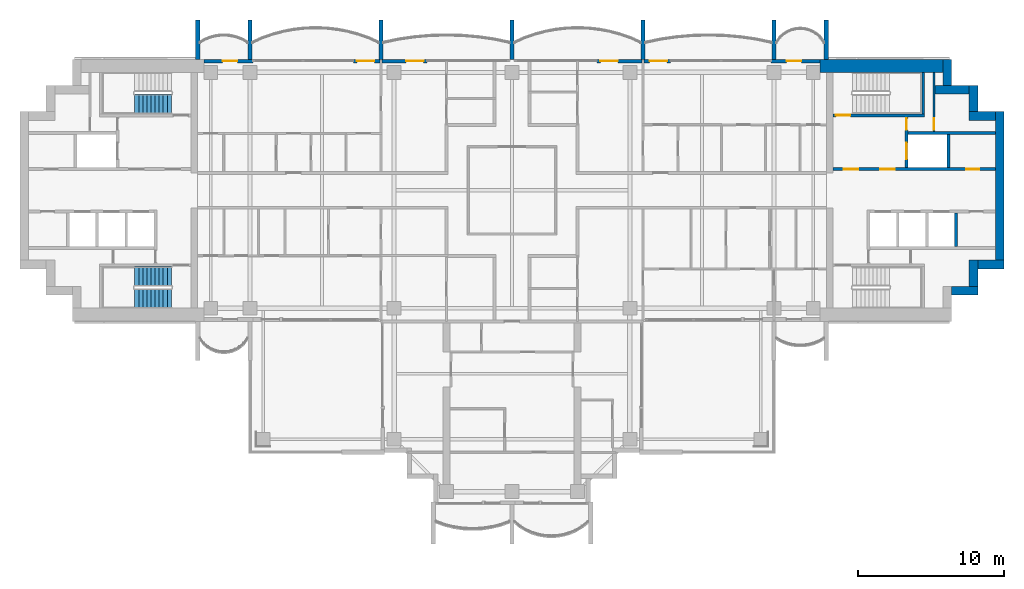
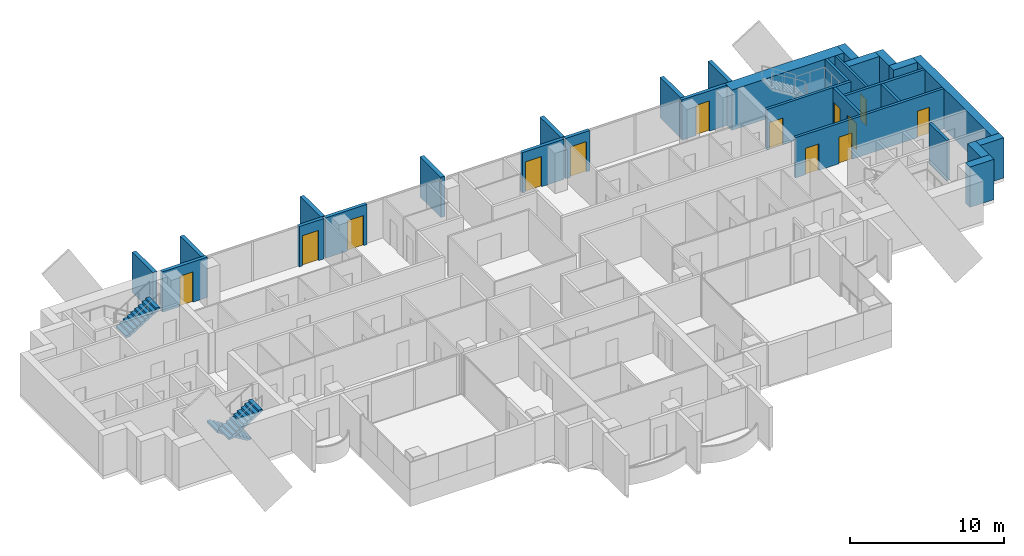
# One storey, part 13 of 18: 30 walls, 13 doors, 3 stair flights, 13 openings, 2 elements without a shape of their own.
"""IFC4 building model written with IfcOpenShell, lengths in metres."""

from ifc_helpers import new_model, si_unit, direction, frame, frame_2d, origin, place, context, subcontext, project, spatial, polyline, rectangle, outline, extrude, material, layer, layer_set, type_object, element, fill, aggregate, save


model = new_model("IFC4")

# Units and contexts
model_context = context("Model", 3, precision=1e-05, world=origin(), true_north=direction((0.0, 1.0)))
body_context = subcontext(model_context, "Body", "Model", "MODEL_VIEW")
ifc_project = project(units=[si_unit("LENGTHUNIT", "METRE"), si_unit("AREAUNIT", "SQUARE_METRE"), si_unit("VOLUMEUNIT", "CUBIC_METRE"), si_unit("PLANEANGLEUNIT", "RADIAN"), si_unit("MASSUNIT", "GRAM", prefix="KILO")], contexts=[model_context])

# Site, building, storey
site_placement = place(None, origin())
site = spatial("IfcSite", under=ifc_project, at=site_placement, CompositionType="ELEMENT")
building_placement = place(site_placement, origin())
building = spatial("IfcBuilding", under=site, at=building_placement, Name="Perihelion Cross Residences", CompositionType="ELEMENT")
storey_placement = place(building_placement, frame((0.0, 0.0, 219.10009765625)))
storey = spatial("IfcBuildingStorey", under=building, at=storey_placement, Name="L55", CompositionType="ELEMENT", Elevation=219.10009765625)

# Wall, opening, door
ifc_material_1 = material(Name="Concrete C30/37, bronze-clad", Category="concrete")
ifc_layer_1 = layer(ifc_material_1, 0.25)
ifc_layer_set_1 = layer_set([ifc_layer_1], Name="Bronze-clad pier wall 250")
wall_type_1 = type_object("IfcWallType", Name="Bronze-clad pier wall 250", PredefinedType="SOLIDWALL", material=ifc_layer_set_1)
wall_1_placement = place(storey_placement, frame((21.175048828125, 8.875, 0.0), z_axis=(0.0, 0.0, 1.0), x_axis=(-1.0, 0.0, 0.0)))
wall_1 = element("IfcWall", 1, at=wall_1_placement, inside=storey, type_object=wall_type_1, Name="Wall FW1 L55 east side north bay 1 pier", PredefinedType="SOLIDWALL", context=body_context, shape_type="SweptSolid", body=[
    extrude(rectangle(XDim=3.375, YDim=0.25, at=frame_2d((1.6875, 0.0))), origin(), (0.0, 0.0, 1.0), 3.199951171875),
])
opening_1_placement = place(wall_1_placement, frame((1.300048828125, 0.0, 0.0)))
opening_1 = element("IfcOpeningElement", 2, at=opening_1_placement, cuts=wall_1, Name="Opening L55.E01", PredefinedType="OPENING", context=body_context, shape_type="SweptSolid", body=[
    extrude(rectangle(XDim=1.0, YDim=2.39990234375, at=frame_2d((0.5, 1.199951171875))), frame((0.0, 0.135009765625, 0.0), z_axis=(0.0, -1.0, 0.0), x_axis=(1.0, 0.0, 0.0)), (0.0, 0.0, 1.0), 0.27001953125),
])
ifc_material_2 = material(Name="Bronze anodised aluminium, glazed", Category="aluminium")
door_type_1 = type_object("IfcDoorType", Name="Balcony door 1000 x 2400", OperationType="NOTDEFINED", PredefinedType="DOOR", material=ifc_material_2)
door_1_placement = place(opening_1_placement, origin())
door_1 = element("IfcDoor", 3, at=door_1_placement, inside=storey, type_object=door_type_1, Name="Door L55.E01 east side north bay 1", OperationType="SINGLE_SWING_LEFT", OverallHeight=2.39990234375, OverallWidth=1.0, PredefinedType="DOOR", context=body_context, shape_type="SweptSolid", body=[
    extrude(rectangle(XDim=1.0, YDim=2.39990234375, at=frame_2d((0.5, 1.199951171875))), frame((0.0, 0.02490234375, 0.0), z_axis=(0.0, -1.0, 0.0), x_axis=(1.0, 0.0, 0.0)), (0.0, 0.0, 1.0), 0.050048828125),
])
fill(opening_1, door_1)

wall_2_placement = place(storey_placement, frame((10.89990234375, 8.875, 0.0), z_axis=(0.0, 0.0, 1.0), x_axis=(-1.0, 0.0, 0.0)))
wall_2 = element("IfcWall", 4, at=wall_2_placement, inside=storey, type_object=wall_type_1, Name="Wall FW1 L55 east side north bay 2 pier", PredefinedType="SOLIDWALL", context=body_context, shape_type="SweptSolid", body=[
    extrude(rectangle(XDim=1.83984375, YDim=0.25, at=frame_2d((0.919921875, 0.0))), origin(), (0.0, 0.0, 1.0), 3.199951171875),
])
opening_2_placement = place(wall_2_placement, frame((0.25, 0.0, 0.0)))
opening_2 = element("IfcOpeningElement", 5, at=opening_2_placement, cuts=wall_2, Name="Opening L55.E02", PredefinedType="OPENING", context=body_context, shape_type="SweptSolid", body=[
    extrude(rectangle(XDim=1.199951171875, YDim=2.39990234375, at=frame_2d((0.60009765625, 1.199951171875))), frame((0.0, 0.135009765625, 0.0), z_axis=(0.0, -1.0, 0.0), x_axis=(1.0, 0.0, 0.0)), (0.0, 0.0, 1.0), 0.27001953125),
])
ifc_material_3 = material(Name="Bronze anodised aluminium, glazed", Category="aluminium")
door_type_2 = type_object("IfcDoorType", Name="Balcony door 1200 x 2400", OperationType="NOTDEFINED", PredefinedType="DOOR", material=ifc_material_3)
door_2_placement = place(opening_2_placement, origin())
door_2 = element("IfcDoor", 6, at=door_2_placement, inside=storey, type_object=door_type_2, Name="Door L55.E02 east side north bay 2", OperationType="SINGLE_SWING_RIGHT", OverallHeight=2.39990234375, OverallWidth=1.199951171875, PredefinedType="DOOR", context=body_context, shape_type="SweptSolid", body=[
    extrude(rectangle(XDim=1.199951171875, YDim=2.39990234375, at=frame_2d((0.60009765625, 1.199951171875))), frame((0.0, 0.02490234375, 0.0), z_axis=(0.0, -1.0, 0.0), x_axis=(1.0, 0.0, 0.0)), (0.0, 0.0, 1.0), 0.050048828125),
])
fill(opening_2, door_2)

wall_3_placement = place(storey_placement, frame((8.93994140625, 8.875, 0.0), z_axis=(0.0, 0.0, 1.0), x_axis=(-1.0, 0.0, 0.0)))
wall_3 = element("IfcWall", 7, at=wall_3_placement, inside=storey, type_object=wall_type_1, Name="Wall FW1 L55 north side east bay 1 pier", PredefinedType="SOLIDWALL", context=body_context, shape_type="SweptSolid", body=[
    extrude(rectangle(XDim=3.114990234375, YDim=0.25, at=frame_2d((1.5576171875, 0.0))), origin(), (0.0, 0.0, 1.0), 3.199951171875),
])
opening_3_placement = place(wall_3_placement, frame((1.6650390625, 0.0, 0.0)))
opening_3 = element("IfcOpeningElement", 8, at=opening_3_placement, cuts=wall_3, Name="Opening L55.E03", PredefinedType="OPENING", context=body_context, shape_type="SweptSolid", body=[
    extrude(rectangle(XDim=1.199951171875, YDim=2.39990234375, at=frame_2d((0.60009765625, 1.199951171875))), frame((0.0, 0.135009765625, 0.0), z_axis=(0.0, -1.0, 0.0), x_axis=(1.0, 0.0, 0.0)), (0.0, 0.0, 1.0), 0.27001953125),
])
door_3_placement = place(opening_3_placement, origin())
door_3 = element("IfcDoor", 9, at=door_3_placement, inside=storey, type_object=door_type_2, Name="Door L55.E03 north side east bay 1", OperationType="SINGLE_SWING_LEFT", OverallHeight=2.39990234375, OverallWidth=1.199951171875, PredefinedType="DOOR", context=body_context, shape_type="SweptSolid", body=[
    extrude(rectangle(XDim=1.199951171875, YDim=2.39990234375, at=frame_2d((0.60009765625, 1.199951171875))), frame((0.0, 0.02490234375, 0.0), z_axis=(0.0, -1.0, 0.0), x_axis=(1.0, 0.0, 0.0)), (0.0, 0.0, 1.0), 0.050048828125),
])
fill(opening_3, door_3)

wall_4_placement = place(storey_placement, frame((-5.824951171875, 8.875, 0.0), z_axis=(0.0, 0.0, 1.0), x_axis=(-1.0, 0.0, 0.0)))
wall_4 = element("IfcWall", 10, at=wall_4_placement, inside=storey, type_object=wall_type_1, Name="Wall FW1 L55 north side east bay 2 pier", PredefinedType="SOLIDWALL", context=body_context, shape_type="SweptSolid", body=[
    extrude(rectangle(XDim=3.114990234375, YDim=0.25, at=frame_2d((1.5576171875, 0.0))), origin(), (0.0, 0.0, 1.0), 3.199951171875),
])
opening_4_placement = place(wall_4_placement, frame((0.25, 0.0, 0.0)))
opening_4 = element("IfcOpeningElement", 11, at=opening_4_placement, cuts=wall_4, Name="Opening L55.E04", PredefinedType="OPENING", context=body_context, shape_type="SweptSolid", body=[
    extrude(rectangle(XDim=1.199951171875, YDim=2.39990234375, at=frame_2d((0.60009765625, 1.199951171875))), frame((0.0, 0.135009765625, 0.0), z_axis=(0.0, -1.0, 0.0), x_axis=(1.0, 0.0, 0.0)), (0.0, 0.0, 1.0), 0.27001953125),
])
door_4_placement = place(opening_4_placement, origin())
door_4 = element("IfcDoor", 12, at=door_4_placement, inside=storey, type_object=door_type_2, Name="Door L55.E04 north side east bay 2", OperationType="SINGLE_SWING_RIGHT", OverallHeight=2.39990234375, OverallWidth=1.199951171875, PredefinedType="DOOR", context=body_context, shape_type="SweptSolid", body=[
    extrude(rectangle(XDim=1.199951171875, YDim=2.39990234375, at=frame_2d((0.60009765625, 1.199951171875))), frame((0.0, 0.02490234375, 0.0), z_axis=(0.0, -1.0, 0.0), x_axis=(1.0, 0.0, 0.0)), (0.0, 0.0, 1.0), 0.050048828125),
])
fill(opening_4, door_4)

wall_5_placement = place(storey_placement, frame((-9.06005859375, 8.875, 0.0), z_axis=(0.0, 0.0, 1.0), x_axis=(-1.0, 0.0, 0.0)))
wall_5 = element("IfcWall", 13, at=wall_5_placement, inside=storey, type_object=wall_type_1, Name="Wall FW1 L55 west side north bay 1 pier", PredefinedType="SOLIDWALL", context=body_context, shape_type="SweptSolid", body=[
    extrude(rectangle(XDim=1.83984375, YDim=0.25, at=frame_2d((0.919921875, 0.0))), origin(), (0.0, 0.0, 1.0), 3.199951171875),
])
opening_5_placement = place(wall_5_placement, frame((0.389892578125, 0.0, 0.0)))
opening_5 = element("IfcOpeningElement", 14, at=opening_5_placement, cuts=wall_5, Name="Opening L55.E05", PredefinedType="OPENING", context=body_context, shape_type="SweptSolid", body=[
    extrude(rectangle(XDim=1.199951171875, YDim=2.39990234375, at=frame_2d((0.60009765625, 1.199951171875))), frame((0.0, 0.135009765625, 0.0), z_axis=(0.0, -1.0, 0.0), x_axis=(1.0, 0.0, 0.0)), (0.0, 0.0, 1.0), 0.27001953125),
])
door_5_placement = place(opening_5_placement, origin())
door_5 = element("IfcDoor", 15, at=door_5_placement, inside=storey, type_object=door_type_2, Name="Door L55.E05 west side north bay 1", OperationType="SINGLE_SWING_LEFT", OverallHeight=2.39990234375, OverallWidth=1.199951171875, PredefinedType="DOOR", context=body_context, shape_type="SweptSolid", body=[
    extrude(rectangle(XDim=1.199951171875, YDim=2.39990234375, at=frame_2d((0.60009765625, 1.199951171875))), frame((0.0, 0.02490234375, 0.0), z_axis=(0.0, -1.0, 0.0), x_axis=(1.0, 0.0, 0.0)), (0.0, 0.0, 1.0), 0.050048828125),
])
fill(opening_5, door_5)

wall_6_placement = place(storey_placement, frame((-17.800048828125, 8.875, 0.0), z_axis=(0.0, 0.0, 1.0), x_axis=(-1.0, 0.0, 0.0)))
wall_6 = element("IfcWall", 16, at=wall_6_placement, inside=storey, type_object=wall_type_1, Name="Wall FW1 L55 west side north bay 2 pier", PredefinedType="SOLIDWALL", context=body_context, shape_type="SweptSolid", body=[
    extrude(rectangle(XDim=3.375, YDim=0.25, at=frame_2d((1.6875, 0.0))), origin(), (0.0, 0.0, 1.0), 3.199951171875),
])
opening_6_placement = place(wall_6_placement, frame((1.074951171875, 0.0, 0.0)))
opening_6 = element("IfcOpeningElement", 17, at=opening_6_placement, cuts=wall_6, Name="Opening L55.E06", PredefinedType="OPENING", context=body_context, shape_type="SweptSolid", body=[
    extrude(rectangle(XDim=1.0, YDim=2.39990234375, at=frame_2d((0.5, 1.199951171875))), frame((0.0, 0.135009765625, 0.0), z_axis=(0.0, -1.0, 0.0), x_axis=(1.0, 0.0, 0.0)), (0.0, 0.0, 1.0), 0.27001953125),
])
door_6_placement = place(opening_6_placement, origin())
door_6 = element("IfcDoor", 18, at=door_6_placement, inside=storey, type_object=door_type_1, Name="Door L55.E06 west side north bay 2", OperationType="SINGLE_SWING_RIGHT", OverallHeight=2.39990234375, OverallWidth=1.0, PredefinedType="DOOR", context=body_context, shape_type="SweptSolid", body=[
    extrude(rectangle(XDim=1.0, YDim=2.39990234375, at=frame_2d((0.5, 1.199951171875))), frame((0.0, 0.02490234375, 0.0), z_axis=(0.0, -1.0, 0.0), x_axis=(1.0, 0.0, 0.0)), (0.0, 0.0, 1.0), 0.050048828125),
])
fill(opening_6, door_6)

# Walls
ifc_material_4 = material(Name="Concrete C60/75", Category="concrete")
ifc_layer_2 = layer(ifc_material_4, 0.60009765625)
ifc_layer_set_2 = layer_set([ifc_layer_2], Name="Core wall, outer 600")
wall_type_2 = type_object("IfcWallType", Name="Core wall, outer 600", PredefinedType="SHEAR", material=ifc_layer_set_2)
for number, where, z_axis, x_axis, name in (
    (19, (30.199951171875, -6.89990234375, 0.0), (0.0, 0.0, 1.0), (1.0, 0.0, 0.0), "East core core wall, outer"),
    (20, (31.699951171875, -6.60009765625, 0.0), (0.0, 0.0, 1.0), (0.0, 1.0, 0.0), "East core core wall, outer"),
    (21, (32.0, -5.10009765625, 0.0), (0.0, 0.0, 1.0), (1.0, 0.0, 0.0), "East core core wall, outer"),
):
    element("IfcWall", number, at=place(storey_placement, frame(where, z_axis=z_axis, x_axis=x_axis)), inside=storey, type_object=wall_type_2, Name=name, PredefinedType="SHEAR", context=body_context, shape_type="SweptSolid", body=[
        extrude(rectangle(XDim=1.800048828125, YDim=0.60009765625, at=frame_2d((0.89990234375, 0.0))), origin(), (0.0, 0.0, 1.0), 3.199951171875),
    ])
wall_7_placement = place(storey_placement, frame((33.5, -4.800048828125, 0.0), z_axis=(0.0, 0.0, 1.0), x_axis=(0.0, 1.0, 0.0)))
element("IfcWall", 22, at=wall_7_placement, inside=storey, type_object=wall_type_2, Name="East core core wall, outer", PredefinedType="SHEAR", context=body_context, shape_type="SweptSolid", body=[
    extrude(rectangle(XDim=10.199951171875, YDim=0.60009765625, at=frame_2d((5.10009765625, 0.0))), origin(), (0.0, 0.0, 1.0), 3.199951171875),
])
for number, where, z_axis, x_axis, name in (
    (23, (31.39990234375, 5.10009765625, 0.0), (0.0, 0.0, 1.0), (1.0, 0.0, 0.0), "East core core wall, outer"),
    (24, (31.699951171875, 5.39990234375, 0.0), (0.0, 0.0, 1.0), (0.0, 1.0, 0.0), "East core core wall, outer"),
):
    element("IfcWall", number, at=place(storey_placement, frame(where, z_axis=z_axis, x_axis=x_axis)), inside=storey, type_object=wall_type_2, Name=name, PredefinedType="SHEAR", context=body_context, shape_type="SweptSolid", body=[
        extrude(rectangle(XDim=1.800048828125, YDim=0.60009765625, at=frame_2d((0.89990234375, 0.0))), origin(), (0.0, 0.0, 1.0), 3.199951171875),
    ])
wall_8_placement = place(storey_placement, frame((29.074951171875, 6.89990234375, 0.0), z_axis=(0.0, 0.0, 1.0), x_axis=(1.0, 0.0, 0.0)))
element("IfcWall", 25, at=wall_8_placement, inside=storey, type_object=wall_type_2, Name="East core core wall, outer", PredefinedType="SHEAR", context=body_context, shape_type="SweptSolid", body=[
    extrude(rectangle(XDim=2.324951171875, YDim=0.60009765625, at=frame_2d((1.16259765625, 0.0))), origin(), (0.0, 0.0, 1.0), 3.199951171875),
])
wall_9_placement = place(storey_placement, frame((29.89990234375, 7.199951171875, 0.0), z_axis=(0.0, 0.0, 1.0), x_axis=(0.0, 1.0, 0.0)))
element("IfcWall", 26, at=wall_9_placement, inside=storey, type_object=wall_type_2, Name="East core core wall, outer", PredefinedType="SHEAR", context=body_context, shape_type="SweptSolid", body=[
    extrude(rectangle(XDim=1.800048828125, YDim=0.60009765625, at=frame_2d((0.89990234375, 0.0))), origin(), (0.0, 0.0, 1.0), 3.199951171875),
])
ifc_material_5 = material(Name="Concrete C60/75", Category="concrete")
ifc_layer_3 = layer(ifc_material_5, 0.89990234375)
ifc_layer_set_3 = layer_set([ifc_layer_3], Name="Core wall, outer 900")
wall_type_3 = type_object("IfcWallType", Name="Core wall, outer 900", PredefinedType="SHEAR", material=ifc_layer_set_3)
wall_10_placement = place(storey_placement, frame((21.175048828125, 8.550048828125, 0.0), z_axis=(0.0, 0.0, 1.0), x_axis=(1.0, 0.0, 0.0)))
element("IfcWall", 27, at=wall_10_placement, inside=storey, type_object=wall_type_3, Name="East core core wall, outer", PredefinedType="SHEAR", context=body_context, shape_type="SweptSolid", body=[
    extrude(rectangle(XDim=8.425048828125, YDim=0.89990234375, at=frame_2d((4.21240234375, 0.0))), origin(), (0.0, 0.0, 1.0), 3.199951171875),
])
ifc_material_6 = material(Name="Precast concrete C50/60", Category="concrete")
ifc_layer_4 = layer(ifc_material_6, 0.300048828125)
ifc_layer_set_4 = layer_set([ifc_layer_4], Name="Precast concrete C50/60 blade wall 300")
wall_type_4 = type_object("IfcWallType", Name="Precast concrete C50/60 blade wall 300", PredefinedType="SOLIDWALL", material=ifc_layer_set_4)
for number, where, z_axis, x_axis, name in (
    (28, (-21.60009765625, 9.0, 0.0), (0.0, 0.0, 1.0), (0.0, 1.0, 0.0), "Wall BL1 L55 no. 4"),
    (29, (-18.0, 9.0, 0.0), (0.0, 0.0, 1.0), (0.0, 1.0, 0.0), "Wall BL1 L55 no. 2"),
    (30, (-9.0, 9.0, 0.0), (0.0, 0.0, 1.0), (0.0, 1.0, 0.0), "Wall BL1 L55 no. 7"),
    (31, (0.0, 9.0, 0.0), (0.0, 0.0, 1.0), (0.0, 1.0, 0.0), "Wall BL1 L55 no. 9"),
    (32, (9.0, 9.0, 0.0), (0.0, 0.0, 1.0), (0.0, 1.0, 0.0), "Wall BL1 L55 no. 16"),
    (33, (18.0, 9.0, 0.0), (0.0, 0.0, 1.0), (0.0, 1.0, 0.0), "Wall BL1 L55 no. 11"),
    (34, (21.60009765625, 9.0, 0.0), (0.0, 0.0, 1.0), (0.0, 1.0, 0.0), "Wall BL1 L55 no. 13"),
):
    element("IfcWall", number, at=place(storey_placement, frame(where, z_axis=z_axis, x_axis=x_axis)), inside=storey, type_object=wall_type_4, Name=name, PredefinedType="SOLIDWALL", context=body_context, shape_type="SweptSolid", body=[
        extrude(rectangle(XDim=2.699951171875, YDim=0.300048828125, at=frame_2d((1.35009765625, 0.0))), origin(), (0.0, 0.0, 1.0), 3.199951171875),
    ])

# Wall, opening, door
ifc_material_7 = material(Name="Fire-rated board on steel stud", Category="steel")
ifc_layer_5 = layer(ifc_material_7, 0.14990234375)
ifc_layer_set_5 = layer_set([ifc_layer_5], Name="Riser wall 150")
wall_type_5 = type_object("IfcWallType", Name="Riser wall 150", PredefinedType="PARTITIONING", material=ifc_layer_set_5)
wall_11_placement = place(storey_placement, frame((29.0, 4.050048828125, 0.0), z_axis=(0.0, 0.0, 1.0), x_axis=(0.0, 1.0, 0.0)))
wall_11 = element("IfcWall", 35, at=wall_11_placement, inside=storey, type_object=wall_type_5, Name="East core riser wall", PredefinedType="PARTITIONING", context=body_context, shape_type="SweptSolid", body=[
    extrude(rectangle(XDim=4.050048828125, YDim=0.14990234375, at=frame_2d((2.02490234375, 0.0))), origin(), (0.0, 0.0, 1.0), 3.199951171875),
])
opening_7_placement = place(wall_11_placement, frame((0.10009765625, 0.0, 0.0)))
opening_7 = element("IfcOpeningElement", 36, at=opening_7_placement, cuts=wall_11, Name="Opening L55.C12", PredefinedType="OPENING", context=body_context, shape_type="SweptSolid", body=[
    extrude(rectangle(XDim=0.800048828125, YDim=2.10009765625, at=frame_2d((0.39990234375, 1.050048828125))), frame((0.0, 0.0849609375, 0.0), z_axis=(0.0, -1.0, 0.0), x_axis=(1.0, 0.0, 0.0)), (0.0, 0.0, 1.0), 0.169921875),
])
ifc_material_8 = material(Name="Steel, powder coated", Category="steel")
door_type_3 = type_object("IfcDoorType", Name="Riser door 800", OperationType="SINGLE_SWING_LEFT", PredefinedType="DOOR", material=ifc_material_8)
door_7_placement = place(opening_7_placement, origin())
door_7 = element("IfcDoor", 37, at=door_7_placement, inside=storey, type_object=door_type_3, Name="East core riser door", OperationType="SINGLE_SWING_LEFT", OverallHeight=2.10009765625, OverallWidth=0.800048828125, PredefinedType="DOOR", context=body_context, shape_type="SweptSolid", body=[
    extrude(rectangle(XDim=0.800048828125, YDim=2.10009765625, at=frame_2d((0.39990234375, 1.050048828125))), frame((0.0, 0.02490234375, 0.0), z_axis=(0.0, -1.0, 0.0), x_axis=(1.0, 0.0, 0.0)), (0.0, 0.0, 1.0), 0.050048828125),
])
fill(opening_7, door_7)

# Wall, openings, doors
ifc_material_9 = material(Name="Concrete C50/60", Category="concrete")
ifc_layer_6 = layer(ifc_material_9, 0.199951171875)
ifc_layer_set_6 = layer_set([ifc_layer_6], Name="Shaft wall 200")
wall_type_6 = type_object("IfcWallType", Name="Shaft wall 200", PredefinedType="SOLIDWALL", material=ifc_layer_set_6)
wall_12_placement = place(storey_placement, frame((22.050048828125, 1.449951171875, 0.0), z_axis=(0.0, 0.0, 1.0), x_axis=(1.0, 0.0, 0.0)))
wall_12 = element("IfcWall", 38, at=wall_12_placement, inside=storey, type_object=wall_type_6, Name="East core shaft wall", PredefinedType="SOLIDWALL", context=body_context, shape_type="SweptSolid", body=[
    extrude(rectangle(XDim=11.14990234375, YDim=0.199951171875, at=frame_2d((5.574951171875, 0.0))), origin(), (0.0, 0.0, 1.0), 3.199951171875),
])
opening_8_placement = place(wall_12_placement, frame((0.75, 0.0, 0.0)))
opening_8 = element("IfcOpeningElement", 39, at=opening_8_placement, cuts=wall_12, Name="Opening L55.C07", PredefinedType="OPENING", context=body_context, shape_type="SweptSolid", body=[
    extrude(rectangle(XDim=1.0, YDim=2.10009765625, at=frame_2d((0.5, 1.050048828125))), frame((0.0, 0.10986328125, 0.0), z_axis=(0.0, -1.0, 0.0), x_axis=(1.0, 0.0, 0.0)), (0.0, 0.0, 1.0), 0.219970703125),
])
opening_9_placement = place(wall_12_placement, frame((3.25, 0.0, 0.0)))
opening_9 = element("IfcOpeningElement", 40, at=opening_9_placement, cuts=wall_12, Name="Opening L55.C09", PredefinedType="OPENING", context=body_context, shape_type="SweptSolid", body=[
    extrude(rectangle(XDim=1.0, YDim=2.10009765625, at=frame_2d((0.5, 1.050048828125))), frame((0.0, 0.10986328125, 0.0), z_axis=(0.0, -1.0, 0.0), x_axis=(1.0, 0.0, 0.0)), (0.0, 0.0, 1.0), 0.219970703125),
])
opening_10_placement = place(wall_12_placement, frame((9.14990234375, 0.0, 0.0)))
opening_10 = element("IfcOpeningElement", 41, at=opening_10_placement, cuts=wall_12, Name="Opening L55.C13", PredefinedType="OPENING", context=body_context, shape_type="SweptSolid", body=[
    extrude(rectangle(XDim=0.89990234375, YDim=2.10009765625, at=frame_2d((0.449951171875, 1.050048828125))), frame((0.0, 0.10986328125, 0.0), z_axis=(0.0, -1.0, 0.0), x_axis=(1.0, 0.0, 0.0)), (0.0, 0.0, 1.0), 0.219970703125),
])
ifc_material_10 = material(Name="Steel, powder coated", Category="steel")
door_type_4 = type_object("IfcDoorType", Name="Lobby door 1000", OperationType="SINGLE_SWING_LEFT", PredefinedType="DOOR", material=ifc_material_10)
door_8_placement = place(opening_8_placement, origin())
door_8 = element("IfcDoor", 42, at=door_8_placement, inside=storey, type_object=door_type_4, Name="East core firefighting lobby door", OperationType="SINGLE_SWING_LEFT", OverallHeight=2.10009765625, OverallWidth=1.0, PredefinedType="DOOR", context=body_context, shape_type="SweptSolid", body=[
    extrude(rectangle(XDim=1.0, YDim=2.10009765625, at=frame_2d((0.5, 1.050048828125))), frame((0.0, 0.02490234375, 0.0), z_axis=(0.0, -1.0, 0.0), x_axis=(1.0, 0.0, 0.0)), (0.0, 0.0, 1.0), 0.050048828125),
])
fill(opening_8, door_8)
door_9_placement = place(opening_9_placement, origin())
door_9 = element("IfcDoor", 43, at=door_9_placement, inside=storey, type_object=door_type_4, Name="East core firefighting lobby door", OperationType="SINGLE_SWING_LEFT", OverallHeight=2.10009765625, OverallWidth=1.0, PredefinedType="DOOR", context=body_context, shape_type="SweptSolid", body=[
    extrude(rectangle(XDim=1.0, YDim=2.10009765625, at=frame_2d((0.5, 1.050048828125))), frame((0.0, 0.02490234375, 0.0), z_axis=(0.0, -1.0, 0.0), x_axis=(1.0, 0.0, 0.0)), (0.0, 0.0, 1.0), 0.050048828125),
])
fill(opening_9, door_9)
ifc_material_11 = material(Name="Steel, powder coated", Category="steel")
door_type_5 = type_object("IfcDoorType", Name="Service room door 900", OperationType="SINGLE_SWING_LEFT", PredefinedType="DOOR", material=ifc_material_11)
door_10_placement = place(opening_10_placement, origin())
door_10 = element("IfcDoor", 44, at=door_10_placement, inside=storey, type_object=door_type_5, Name="East core service room door", OperationType="SINGLE_SWING_LEFT", OverallHeight=2.10009765625, OverallWidth=0.89990234375, PredefinedType="DOOR", context=body_context, shape_type="SweptSolid", body=[
    extrude(rectangle(XDim=0.89990234375, YDim=2.10009765625, at=frame_2d((0.449951171875, 1.050048828125))), frame((0.0, 0.02490234375, 0.0), z_axis=(0.0, -1.0, 0.0), x_axis=(1.0, 0.0, 0.0)), (0.0, 0.0, 1.0), 0.050048828125),
])
fill(opening_10, door_10)

# Wall
wall_13_placement = place(storey_placement, frame((27.199951171875, 3.949951171875, 0.0), z_axis=(0.0, 0.0, 1.0), x_axis=(1.0, 0.0, 0.0)))
element("IfcWall", 45, at=wall_13_placement, inside=storey, type_object=wall_type_6, Name="East core shaft wall", PredefinedType="SOLIDWALL", context=body_context, shape_type="SweptSolid", body=[
    extrude(rectangle(XDim=6.0, YDim=0.199951171875, at=frame_2d((3.0, 0.0))), origin(), (0.0, 0.0, 1.0), 3.199951171875),
])

# Wall, openings, doors
wall_14_placement = place(storey_placement, frame((27.10009765625, 1.550048828125, 0.0), z_axis=(0.0, 0.0, 1.0), x_axis=(0.0, 1.0, 0.0)))
wall_14 = element("IfcWall", 46, at=wall_14_placement, inside=storey, type_object=wall_type_6, Name="East core shaft wall", PredefinedType="SOLIDWALL", context=body_context, shape_type="SweptSolid", body=[
    extrude(rectangle(XDim=3.5, YDim=0.199951171875, at=frame_2d((1.75, 0.0))), origin(), (0.0, 0.0, 1.0), 3.199951171875),
])
opening_11_placement = place(wall_14_placement, frame((0.60009765625, 0.0, 0.0)))
opening_11 = element("IfcOpeningElement", 47, at=opening_11_placement, cuts=wall_14, Name="Opening L55.C02", PredefinedType="OPENING", context=body_context, shape_type="SweptSolid", body=[
    extrude(rectangle(XDim=1.10009765625, YDim=2.10009765625, at=frame_2d((0.550048828125, 1.050048828125))), frame((0.0, 0.10986328125, 0.0), z_axis=(0.0, -1.0, 0.0), x_axis=(1.0, 0.0, 0.0)), (0.0, 0.0, 1.0), 0.219970703125),
])
opening_12_placement = place(wall_14_placement, frame((2.60009765625, 0.0, 0.0)))
opening_12 = element("IfcOpeningElement", 48, at=opening_12_placement, cuts=wall_14, Name="Opening L55.C10", PredefinedType="OPENING", context=body_context, shape_type="SweptSolid", body=[
    extrude(rectangle(XDim=0.800048828125, YDim=2.10009765625, at=frame_2d((0.39990234375, 1.050048828125))), frame((0.0, 0.10986328125, 0.0), z_axis=(0.0, -1.0, 0.0), x_axis=(1.0, 0.0, 0.0)), (0.0, 0.0, 1.0), 0.219970703125),
])
ifc_material_12 = material(Name="Stainless steel", Category="steel")
door_type_6 = type_object("IfcDoorType", Name="Landing door, firefighting lift 1100", OperationType="DOUBLE_DOOR_SLIDING", PredefinedType="DOOR", material=ifc_material_12)
door_11_placement = place(opening_11_placement, origin())
door_11 = element("IfcDoor", 49, at=door_11_placement, inside=storey, type_object=door_type_6, Name="Landing door, East core firefighting and service lift", OperationType="DOUBLE_DOOR_SLIDING", OverallHeight=2.10009765625, OverallWidth=1.10009765625, PredefinedType="DOOR", context=body_context, shape_type="SweptSolid", body=[
    extrude(rectangle(XDim=1.10009765625, YDim=2.10009765625, at=frame_2d((0.550048828125, 1.050048828125))), frame((0.0, 0.02490234375, 0.0), z_axis=(0.0, -1.0, 0.0), x_axis=(1.0, 0.0, 0.0)), (0.0, 0.0, 1.0), 0.050048828125),
])
fill(opening_11, door_11)
door_12_placement = place(opening_12_placement, origin())
door_12 = element("IfcDoor", 50, at=door_12_placement, inside=storey, type_object=door_type_3, Name="East core riser door", OperationType="SINGLE_SWING_LEFT", OverallHeight=2.10009765625, OverallWidth=0.800048828125, PredefinedType="DOOR", context=body_context, shape_type="SweptSolid", body=[
    extrude(rectangle(XDim=0.800048828125, YDim=2.10009765625, at=frame_2d((0.39990234375, 1.050048828125))), frame((0.0, 0.02490234375, 0.0), z_axis=(0.0, -1.0, 0.0), x_axis=(1.0, 0.0, 0.0)), (0.0, 0.0, 1.0), 0.050048828125),
])
fill(opening_12, door_12)

# Walls
for number, where, z_axis, x_axis, name in (
    (51, (30.0, 1.550048828125, 0.0), (0.0, 0.0, 1.0), (0.0, 1.0, 0.0), "East core shaft wall"),
    (52, (30.5, -3.85009765625, 0.0), (0.0, 0.0, 1.0), (0.0, 1.0, 0.0), "East core shaft wall"),
):
    element("IfcWall", number, at=place(storey_placement, frame(where, z_axis=z_axis, x_axis=x_axis)), inside=storey, type_object=wall_type_6, Name=name, PredefinedType="SOLIDWALL", context=body_context, shape_type="SweptSolid", body=[
        extrude(rectangle(XDim=2.300048828125, YDim=0.199951171875, at=frame_2d((1.14990234375, 0.0))), origin(), (0.0, 0.0, 1.0), 3.199951171875),
    ])

# Wall, opening, door
ifc_material_13 = material(Name="Concrete C50/60", Category="concrete")
ifc_layer_7 = layer(ifc_material_13, 0.199951171875)
ifc_layer_set_7 = layer_set([ifc_layer_7], Name="Stair wall 200")
wall_type_7 = type_object("IfcWallType", Name="Stair wall 200", PredefinedType="SOLIDWALL", material=ifc_layer_set_7)
wall_15_placement = place(storey_placement, frame((22.050048828125, 5.14990234375, 0.0), z_axis=(0.0, 0.0, 1.0), x_axis=(1.0, 0.0, 0.0)))
wall_15 = element("IfcWall", 53, at=wall_15_placement, inside=storey, type_object=wall_type_7, Name="East core stair wall", PredefinedType="SOLIDWALL", context=body_context, shape_type="SweptSolid", body=[
    extrude(rectangle(XDim=6.300048828125, YDim=0.199951171875, at=frame_2d((3.14990234375, 0.0))), origin(), (0.0, 0.0, 1.0), 3.199951171875),
])
opening_13_placement = place(wall_15_placement, frame((0.199951171875, 0.0, 0.0)))
opening_13 = element("IfcOpeningElement", 54, at=opening_13_placement, cuts=wall_15, Name="Opening L55.C06", PredefinedType="OPENING", context=body_context, shape_type="SweptSolid", body=[
    extrude(rectangle(XDim=1.0, YDim=2.10009765625, at=frame_2d((0.5, 1.050048828125))), frame((0.0, 0.10986328125, 0.0), z_axis=(0.0, -1.0, 0.0), x_axis=(1.0, 0.0, 0.0)), (0.0, 0.0, 1.0), 0.219970703125),
])
ifc_material_14 = material(Name="Steel, powder coated", Category="steel")
door_type_7 = type_object("IfcDoorType", Name="Stair door 1000", OperationType="SINGLE_SWING_LEFT", PredefinedType="DOOR", material=ifc_material_14)
door_13_placement = place(opening_13_placement, origin())
door_13 = element("IfcDoor", 55, at=door_13_placement, inside=storey, type_object=door_type_7, Name="East core stair door", OperationType="SINGLE_SWING_LEFT", OverallHeight=2.10009765625, OverallWidth=1.0, PredefinedType="DOOR", context=body_context, shape_type="SweptSolid", body=[
    extrude(rectangle(XDim=1.0, YDim=2.10009765625, at=frame_2d((0.5, 1.050048828125))), frame((0.0, 0.02490234375, 0.0), z_axis=(0.0, -1.0, 0.0), x_axis=(1.0, 0.0, 0.0)), (0.0, 0.0, 1.0), 0.050048828125),
])
fill(opening_13, door_13)

# Wall
wall_16_placement = place(storey_placement, frame((28.25, 5.25, 0.0), z_axis=(0.0, 0.0, 1.0), x_axis=(0.0, 1.0, 0.0)))
element("IfcWall", 56, at=wall_16_placement, inside=storey, type_object=wall_type_7, Name="East core stair wall", PredefinedType="SOLIDWALL", context=body_context, shape_type="SweptSolid", body=[
    extrude(rectangle(XDim=2.85009765625, YDim=0.199951171875, at=frame_2d((1.425048828125, 0.0))), origin(), (0.0, 0.0, 1.0), 3.199951171875),
])

# Stair, stair flight
ifc_material_15 = material(Name="Concrete C40/50", Category="concrete")
stair_type = type_object("IfcStairType", Name="Exit stair, half-turn", PredefinedType="HALF_TURN_STAIR", material=ifc_material_15)
stair_1_placement = place(storey_placement, origin())
stair_1 = element("IfcStair", 57, at=stair_1_placement, inside=storey, type_object=stair_type, Name="L55 West core exit stair 1", PredefinedType="HALF_TURN_STAIR")
ifc_material_16 = material(Name="Concrete C40/50", Category="concrete")
stair_flight_type = type_object("IfcStairFlightType", Name="Exit stair flight", PredefinedType="STRAIGHT", material=ifc_material_16)
stair_flight_1_placement = place(storey_placement, frame((-25.919921875, 5.925048828125, 1.75), z_axis=(0.0, 0.0, 1.0), x_axis=(1.0, 0.0, 0.0)))
stair_flight_1 = element("IfcStairFlight", 58, at=stair_flight_1_placement, type_object=stair_flight_type, Name="ST-W1 flight 2", NumberOfRisers=10, NumberOfTreads=9, PredefinedType="STRAIGHT", RiserHeight=0.175, TreadLength=0.28, context=body_context, shape_type="SweptSolid", body=[
    extrude(outline(polyline([(0.0, 0.0), (0.0, 0.175048828125), (0.280029296875, 0.175048828125), (0.280029296875, 0.35009765625), (0.56005859375, 0.35009765625), (0.56005859375, 0.52490234375), (0.840087890625, 0.52490234375), (0.840087890625, 0.699951171875), (1.1201171875, 0.699951171875), (1.1201171875, 0.875), (1.39990234375, 0.875), (1.39990234375, 1.050048828125), (1.679931640625, 1.050048828125), (1.679931640625, 1.22509765625), (1.9599609375, 1.22509765625), (1.9599609375, 1.39990234375), (2.239990234375, 1.39990234375), (2.239990234375, 1.574951171875), (2.52001953125, 1.574951171875), (2.52001953125, 1.75), (2.52001953125, 1.398193359375), (0.28271484375, 0.0), (0.0, 0.0)])), frame((0.0, 0.675048828125, 0.0), z_axis=(0.0, -1.0, 0.0), x_axis=(1.0, 0.0, 0.0)), (0.0, 0.0, 1.0), 1.35009765625),
])
aggregate(stair_1, [stair_flight_1])

# Stair, stair flights
stair_2_placement = place(storey_placement, origin())
stair_2 = element("IfcStair", 59, at=stair_2_placement, inside=storey, type_object=stair_type, Name="L55 West core exit stair 2", PredefinedType="HALF_TURN_STAIR")
stair_flight_2_placement = place(storey_placement, frame((-23.39990234375, -5.925048828125, 0.0), z_axis=(0.0, 0.0, 1.0), x_axis=(-1.0, 0.0, 0.0)))
stair_flight_2 = element("IfcStairFlight", 60, at=stair_flight_2_placement, type_object=stair_flight_type, Name="ST-W2 flight 1", NumberOfRisers=10, NumberOfTreads=9, PredefinedType="STRAIGHT", RiserHeight=0.175, TreadLength=0.28, context=body_context, shape_type="SweptSolid", body=[
    extrude(outline(polyline([(0.0, 0.0), (0.0, 0.175048828125), (0.280029296875, 0.175048828125), (0.280029296875, 0.35009765625), (0.56005859375, 0.35009765625), (0.56005859375, 0.52490234375), (0.840087890625, 0.52490234375), (0.840087890625, 0.699951171875), (1.1201171875, 0.699951171875), (1.1201171875, 0.875), (1.39990234375, 0.875), (1.39990234375, 1.050048828125), (1.679931640625, 1.050048828125), (1.679931640625, 1.22509765625), (1.9599609375, 1.22509765625), (1.9599609375, 1.39990234375), (2.239990234375, 1.39990234375), (2.239990234375, 1.574951171875), (2.52001953125, 1.574951171875), (2.52001953125, 1.75), (2.52001953125, 1.398193359375), (0.28271484375, 0.0), (0.0, 0.0)])), frame((0.0, 0.675048828125, 0.0), z_axis=(0.0, -1.0, 0.0), x_axis=(1.0, 0.0, 0.0)), (0.0, 0.0, 1.0), 1.35009765625),
])
stair_flight_3_placement = place(storey_placement, frame((-25.919921875, -7.425048828125, 1.75), z_axis=(0.0, 0.0, 1.0), x_axis=(1.0, 0.0, 0.0)))
stair_flight_3 = element("IfcStairFlight", 61, at=stair_flight_3_placement, type_object=stair_flight_type, Name="ST-W2 flight 2", NumberOfRisers=10, NumberOfTreads=9, PredefinedType="STRAIGHT", RiserHeight=0.175, TreadLength=0.28, context=body_context, shape_type="SweptSolid", body=[
    extrude(outline(polyline([(0.0, 0.0), (0.0, 0.175048828125), (0.280029296875, 0.175048828125), (0.280029296875, 0.35009765625), (0.56005859375, 0.35009765625), (0.56005859375, 0.52490234375), (0.840087890625, 0.52490234375), (0.840087890625, 0.699951171875), (1.1201171875, 0.699951171875), (1.1201171875, 0.875), (1.39990234375, 0.875), (1.39990234375, 1.050048828125), (1.679931640625, 1.050048828125), (1.679931640625, 1.22509765625), (1.9599609375, 1.22509765625), (1.9599609375, 1.39990234375), (2.239990234375, 1.39990234375), (2.239990234375, 1.574951171875), (2.52001953125, 1.574951171875), (2.52001953125, 1.75), (2.52001953125, 1.398193359375), (0.28271484375, 0.0), (0.0, 0.0)])), frame((0.0, 0.675048828125, 0.0), z_axis=(0.0, -1.0, 0.0), x_axis=(1.0, 0.0, 0.0)), (0.0, 0.0, 1.0), 1.35009765625),
])
aggregate(stair_2, [stair_flight_2, stair_flight_3])

save(model, "model.ifc")
